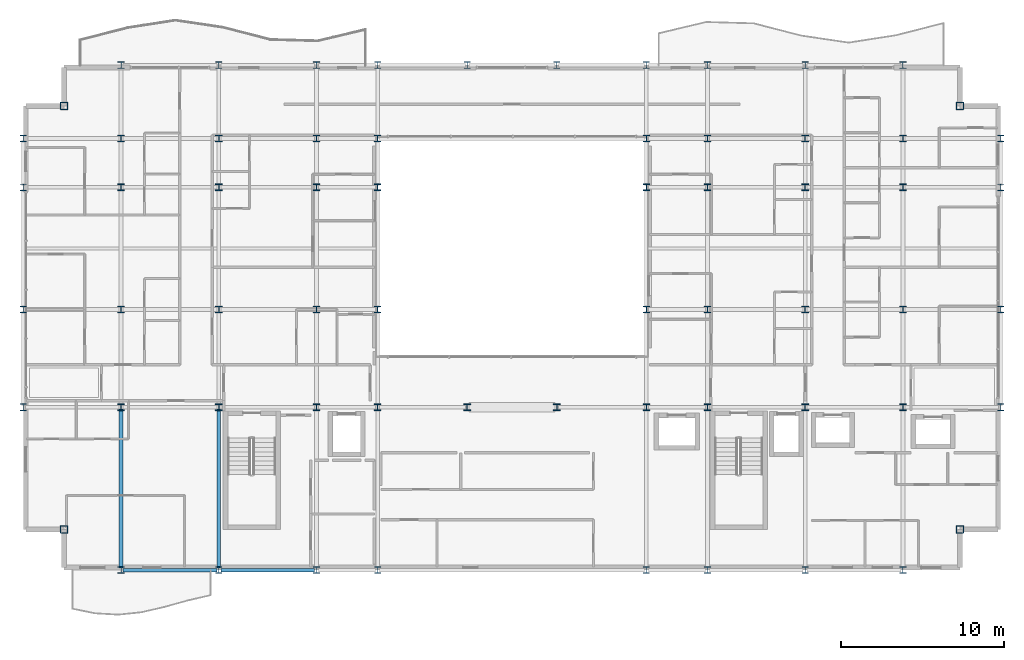
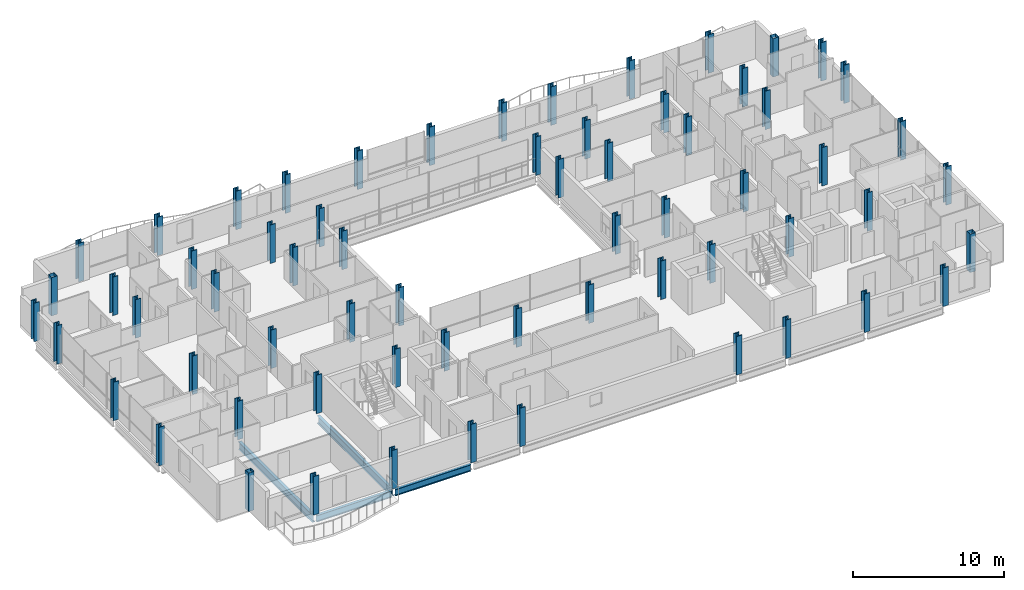
# One storey, part 1 of 40: 64 columns, 4 beams.
"""IFC4 building model written with IfcOpenShell, lengths in metres."""

from ifc_helpers import new_model, si_unit, direction, frame, origin, origin_2d, place, context, subcontext, project, spatial, hollow_rectangle, i_section, extrude, material, material_profile, profile_set, type_object, element, save


model = new_model("IFC4")

# Units and contexts
model_context = context("Model", 3, precision=1e-05, world=origin(), true_north=direction((0.0, 1.0)))
body_context = subcontext(model_context, "Body", "Model", "MODEL_VIEW")
ifc_project = project(units=[si_unit("LENGTHUNIT", "METRE"), si_unit("AREAUNIT", "SQUARE_METRE"), si_unit("VOLUMEUNIT", "CUBIC_METRE"), si_unit("PLANEANGLEUNIT", "RADIAN"), si_unit("MASSUNIT", "GRAM", prefix="KILO")], contexts=[model_context])

# Site, building, storey
site_placement = place(None, origin())
site = spatial("IfcSite", under=ifc_project, at=site_placement, CompositionType="ELEMENT")
building_placement = place(site_placement, origin())
building = spatial("IfcBuilding", under=site, at=building_placement, Name="Brevholm Reach", CompositionType="ELEMENT")
storey_placement = place(building_placement, frame((0.0, 0.0, 119.0)))
storey = spatial("IfcBuildingStorey", under=building, at=storey_placement, Name="L35", CompositionType="ELEMENT", Elevation=119.0)

# Columns
ifc_material_1 = material(Name="Structural Steel S460NH", Category="steel")
ifc_material_profile_1 = material_profile(ifc_material_1, hollow_rectangle(XDim=0.449951171875, YDim=0.449951171875, WallThickness=0.02490234375, InnerFilletRadius=0.011962890625, OuterFilletRadius=0.02392578125, at=origin_2d()), Name="SHS 450x450x25")
ifc_profile_set_1 = profile_set([ifc_material_profile_1], Name="Structural Steel S460NH")
column_type_1 = type_object("IfcColumnType", Name="COL-SHS1", PredefinedType="COLUMN", material=ifc_profile_set_1)
for number, where, z_axis, x_axis, name in (
    (1, (2.5, 2.5, 0.0), (0.0, 0.0, 1.0), (1.0, 0.0, 0.0), "L35 Column 05"),
    (2, (2.5, 28.5, 0.0), (0.0, 0.0, 1.0), (1.0, 0.0, 0.0), "L35 Column 06"),
    (3, (57.5, 2.5, 0.0), (0.0, 0.0, 1.0), (1.0, 0.0, 0.0), "L35 Column 59"),
    (4, (57.5, 28.5, 0.0), (0.0, 0.0, 1.0), (1.0, 0.0, 0.0), "L35 Column 60"),
):
    element("IfcColumn", number, at=place(storey_placement, frame(where, z_axis=z_axis, x_axis=x_axis)), inside=storey, type_object=column_type_1, Name=name, PredefinedType="COLUMN", context=body_context, shape_type="SweptSolid", body=[
        extrude(hollow_rectangle(XDim=0.449951171875, YDim=0.449951171875, WallThickness=0.02490234375, InnerFilletRadius=0.011962890625, OuterFilletRadius=0.02392578125, at=origin_2d()), origin(), (0.0, 0.0, 1.0), 3.10009765625),
    ])
ifc_material_2 = material(Name="Structural Steel S460ML", Category="steel")
ifc_material_profile_2 = material_profile(ifc_material_2, i_section(OverallWidth=0.412109375, OverallDepth=0.4365234375, WebThickness=0.035888671875, FlangeThickness=0.05810546875, FilletRadius=0.01513671875, at=origin_2d()), Name="UKC 356x406x467")
ifc_profile_set_2 = profile_set([ifc_material_profile_2], Name="Structural Steel S460ML")
column_type_2 = type_object("IfcColumnType", Name="COL-UC3", PredefinedType="COLUMN", material=ifc_profile_set_2)
for number, where, z_axis, x_axis, name in (
    (5, (0.0, 10.0, 0.0), (0.0, 0.0, 1.0), (1.0, 0.0, 0.0), "L35 Column 01"),
    (6, (0.0, 16.0, 0.0), (0.0, 0.0, 1.0), (1.0, 0.0, 0.0), "L35 Column 02"),
    (7, (0.0, 23.5, 0.0), (0.0, 0.0, 1.0), (1.0, 0.0, 0.0), "L35 Column 03"),
    (8, (0.0, 26.5, 0.0), (0.0, 0.0, 1.0), (1.0, 0.0, 0.0), "L35 Column 04"),
    (9, (6.0, 0.0, 0.0), (0.0, 0.0, 1.0), (1.0, 0.0, 0.0), "L35 Column 07"),
    (10, (6.0, 31.0, 0.0), (0.0, 0.0, 1.0), (1.0, 0.0, 0.0), "L35 Column 12"),
    (11, (12.0, 0.0, 0.0), (0.0, 0.0, 1.0), (1.0, 0.0, 0.0), "L35 Column 13"),
    (12, (12.0, 31.0, 0.0), (0.0, 0.0, 1.0), (1.0, 0.0, 0.0), "L35 Column 18"),
    (13, (18.0, 0.0, 0.0), (0.0, 0.0, 1.0), (1.0, 0.0, 0.0), "L35 Column 19"),
    (14, (18.0, 31.0, 0.0), (0.0, 0.0, 1.0), (1.0, 0.0, 0.0), "L35 Column 24"),
    (15, (21.75, 0.0, 0.0), (0.0, 0.0, 1.0), (1.0, 0.0, 0.0), "L35 Column 25"),
    (16, (21.75, 31.0, 0.0), (0.0, 0.0, 1.0), (1.0, 0.0, 0.0), "L35 Column 30"),
    (17, (27.25, 31.0, 0.0), (0.0, 0.0, 1.0), (1.0, 0.0, 0.0), "L35 Column 32"),
    (18, (32.75, 31.0, 0.0), (0.0, 0.0, 1.0), (1.0, 0.0, 0.0), "L35 Column 34"),
    (19, (38.25, 0.0, 0.0), (0.0, 0.0, 1.0), (1.0, 0.0, 0.0), "L35 Column 35"),
    (20, (38.25, 31.0, 0.0), (0.0, 0.0, 1.0), (1.0, 0.0, 0.0), "L35 Column 40"),
    (21, (42.0, 0.0, 0.0), (0.0, 0.0, 1.0), (1.0, 0.0, 0.0), "L35 Column 41"),
    (22, (42.0, 31.0, 0.0), (0.0, 0.0, 1.0), (1.0, 0.0, 0.0), "L35 Column 46"),
    (23, (48.0, 0.0, 0.0), (0.0, 0.0, 1.0), (1.0, 0.0, 0.0), "L35 Column 47"),
    (24, (48.0, 31.0, 0.0), (0.0, 0.0, 1.0), (1.0, 0.0, 0.0), "L35 Column 52"),
    (25, (54.0, 0.0, 0.0), (0.0, 0.0, 1.0), (1.0, 0.0, 0.0), "L35 Column 53"),
    (26, (54.0, 31.0, 0.0), (0.0, 0.0, 1.0), (1.0, 0.0, 0.0), "L35 Column 58"),
    (27, (60.0, 10.0, 0.0), (0.0, 0.0, 1.0), (1.0, 0.0, 0.0), "L35 Column 61"),
    (28, (60.0, 16.0, 0.0), (0.0, 0.0, 1.0), (1.0, 0.0, 0.0), "L35 Column 62"),
    (29, (60.0, 23.5, 0.0), (0.0, 0.0, 1.0), (1.0, 0.0, 0.0), "L35 Column 63"),
    (30, (60.0, 26.5, 0.0), (0.0, 0.0, 1.0), (1.0, 0.0, 0.0), "L35 Column 64"),
):
    element("IfcColumn", number, at=place(storey_placement, frame(where, z_axis=z_axis, x_axis=x_axis)), inside=storey, type_object=column_type_2, Name=name, PredefinedType="COLUMN", context=body_context, shape_type="SweptSolid", body=[
        extrude(i_section(OverallWidth=0.412109375, OverallDepth=0.4365234375, WebThickness=0.035888671875, FlangeThickness=0.05810546875, FilletRadius=0.01513671875, at=origin_2d()), origin(), (0.0, 0.0, 1.0), 3.10009765625),
    ])
ifc_material_3 = material(Name="Structural Steel S355J2", Category="steel")
ifc_material_profile_3 = material_profile(ifc_material_3, i_section(OverallWidth=0.406982421875, OverallDepth=0.4189453125, WebThickness=0.030517578125, FlangeThickness=0.04931640625, FilletRadius=0.01513671875, at=origin_2d()), Name="UKC 356x406x393")
ifc_profile_set_3 = profile_set([ifc_material_profile_3], Name="Structural Steel S355J2")
column_type_3 = type_object("IfcColumnType", Name="COL-UC4", PredefinedType="COLUMN", material=ifc_profile_set_3)
for number, where, z_axis, x_axis, name in (
    (31, (6.0, 10.0, 0.0), (0.0, 0.0, 1.0), (1.0, 0.0, 0.0), "L35 Column 08"),
    (32, (6.0, 16.0, 0.0), (0.0, 0.0, 1.0), (1.0, 0.0, 0.0), "L35 Column 09"),
    (33, (6.0, 23.5, 0.0), (0.0, 0.0, 1.0), (1.0, 0.0, 0.0), "L35 Column 10"),
    (34, (6.0, 26.5, 0.0), (0.0, 0.0, 1.0), (1.0, 0.0, 0.0), "L35 Column 11"),
    (35, (12.0, 10.0, 0.0), (0.0, 0.0, 1.0), (1.0, 0.0, 0.0), "L35 Column 14"),
    (36, (12.0, 16.0, 0.0), (0.0, 0.0, 1.0), (1.0, 0.0, 0.0), "L35 Column 15"),
    (37, (12.0, 23.5, 0.0), (0.0, 0.0, 1.0), (1.0, 0.0, 0.0), "L35 Column 16"),
    (38, (12.0, 26.5, 0.0), (0.0, 0.0, 1.0), (1.0, 0.0, 0.0), "L35 Column 17"),
    (39, (18.0, 10.0, 0.0), (0.0, 0.0, 1.0), (1.0, 0.0, 0.0), "L35 Column 20"),
    (40, (18.0, 16.0, 0.0), (0.0, 0.0, 1.0), (1.0, 0.0, 0.0), "L35 Column 21"),
    (41, (18.0, 23.5, 0.0), (0.0, 0.0, 1.0), (1.0, 0.0, 0.0), "L35 Column 22"),
    (42, (18.0, 26.5, 0.0), (0.0, 0.0, 1.0), (1.0, 0.0, 0.0), "L35 Column 23"),
    (43, (21.75, 10.0, 0.0), (0.0, 0.0, 1.0), (1.0, 0.0, 0.0), "L35 Column 26"),
    (44, (21.75, 16.0, 0.0), (0.0, 0.0, 1.0), (1.0, 0.0, 0.0), "L35 Column 27"),
    (45, (21.75, 23.5, 0.0), (0.0, 0.0, 1.0), (1.0, 0.0, 0.0), "L35 Column 28"),
    (46, (21.75, 26.5, 0.0), (0.0, 0.0, 1.0), (1.0, 0.0, 0.0), "L35 Column 29"),
    (47, (27.25, 10.0, 0.0), (0.0, 0.0, 1.0), (1.0, 0.0, 0.0), "L35 Column 31"),
    (48, (32.75, 10.0, 0.0), (0.0, 0.0, 1.0), (1.0, 0.0, 0.0), "L35 Column 33"),
    (49, (38.25, 10.0, 0.0), (0.0, 0.0, 1.0), (1.0, 0.0, 0.0), "L35 Column 36"),
    (50, (38.25, 16.0, 0.0), (0.0, 0.0, 1.0), (1.0, 0.0, 0.0), "L35 Column 37"),
    (51, (38.25, 23.5, 0.0), (0.0, 0.0, 1.0), (1.0, 0.0, 0.0), "L35 Column 38"),
    (52, (38.25, 26.5, 0.0), (0.0, 0.0, 1.0), (1.0, 0.0, 0.0), "L35 Column 39"),
    (53, (42.0, 10.0, 0.0), (0.0, 0.0, 1.0), (1.0, 0.0, 0.0), "L35 Column 42"),
    (54, (42.0, 16.0, 0.0), (0.0, 0.0, 1.0), (1.0, 0.0, 0.0), "L35 Column 43"),
    (55, (42.0, 23.5, 0.0), (0.0, 0.0, 1.0), (1.0, 0.0, 0.0), "L35 Column 44"),
    (56, (42.0, 26.5, 0.0), (0.0, 0.0, 1.0), (1.0, 0.0, 0.0), "L35 Column 45"),
    (57, (48.0, 10.0, 0.0), (0.0, 0.0, 1.0), (1.0, 0.0, 0.0), "L35 Column 48"),
    (58, (48.0, 16.0, 0.0), (0.0, 0.0, 1.0), (1.0, 0.0, 0.0), "L35 Column 49"),
    (59, (48.0, 23.5, 0.0), (0.0, 0.0, 1.0), (1.0, 0.0, 0.0), "L35 Column 50"),
    (60, (48.0, 26.5, 0.0), (0.0, 0.0, 1.0), (1.0, 0.0, 0.0), "L35 Column 51"),
    (61, (54.0, 10.0, 0.0), (0.0, 0.0, 1.0), (1.0, 0.0, 0.0), "L35 Column 54"),
    (62, (54.0, 16.0, 0.0), (0.0, 0.0, 1.0), (1.0, 0.0, 0.0), "L35 Column 55"),
    (63, (54.0, 23.5, 0.0), (0.0, 0.0, 1.0), (1.0, 0.0, 0.0), "L35 Column 56"),
    (64, (54.0, 26.5, 0.0), (0.0, 0.0, 1.0), (1.0, 0.0, 0.0), "L35 Column 57"),
):
    element("IfcColumn", number, at=place(storey_placement, frame(where, z_axis=z_axis, x_axis=x_axis)), inside=storey, type_object=column_type_3, Name=name, PredefinedType="COLUMN", context=body_context, shape_type="SweptSolid", body=[
        extrude(i_section(OverallWidth=0.406982421875, OverallDepth=0.4189453125, WebThickness=0.030517578125, FlangeThickness=0.04931640625, FilletRadius=0.01513671875, at=origin_2d()), origin(), (0.0, 0.0, 1.0), 3.10009765625),
    ])

# Beams
ifc_material_4 = material(Name="Structural Steel S355J2", Category="steel")
ifc_material_profile_4 = material_profile(ifc_material_4, i_section(OverallWidth=0.209228515625, OverallDepth=0.533203125, WebThickness=0.010009765625, FlangeThickness=0.015625, FilletRadius=0.0126953125, at=origin_2d()), Name="UKB 533x210x92")
ifc_profile_set_4 = profile_set([ifc_material_profile_4], Name="Structural Steel S355J2")
beam_type_1 = type_object("IfcBeamType", Name="BM-SP533", PredefinedType="SPANDREL", material=ifc_profile_set_4)
for number, where, z_axis, x_axis, name in (
    (65, (6.1201171875, 0.0, -0.486572265625), (1.0, 0.0, 0.0), (0.0, 1.0, 0.0), "L35 SP-02 Framing Beam"),
    (66, (12.1201171875, 0.0, -0.486572265625), (1.0, 0.0, 0.0), (0.0, 1.0, 0.0), "L35 SP-02 Framing Beam"),
):
    element("IfcBeam", number, at=place(storey_placement, frame(where, z_axis=z_axis, x_axis=x_axis)), inside=storey, type_object=beam_type_1, Name=name, PredefinedType="SPANDREL", context=body_context, shape_type="SweptSolid", body=[
        extrude(i_section(OverallWidth=0.209228515625, OverallDepth=0.533203125, WebThickness=0.010009765625, FlangeThickness=0.015625, FilletRadius=0.0126953125, at=origin_2d()), origin(), (0.0, 0.0, 1.0), 5.759765625),
    ])
ifc_material_5 = material(Name="Structural Steel S355J2", Category="steel")
ifc_material_profile_5 = material_profile(ifc_material_5, i_section(OverallWidth=0.22900390625, OverallDepth=0.6123046875, WebThickness=0.011962890625, FlangeThickness=0.01953125, FilletRadius=0.0126953125, at=origin_2d()), Name="UKB 610x229x125")
ifc_profile_set_5 = profile_set([ifc_material_profile_5], Name="Structural Steel S355J2")
beam_type_2 = type_object("IfcBeamType", Name="BM-SP610", PredefinedType="SPANDREL", material=ifc_profile_set_5)
for number, where, z_axis, x_axis, name in (
    (67, (6.0, 0.1201171875, -0.526123046875), (0.0, 1.0, 0.0), (-1.0, 0.0, 0.0), "L35 SP-01 Framing Beam"),
    (68, (12.0, 0.1201171875, -0.526123046875), (0.0, 1.0, 0.0), (-1.0, 0.0, 0.0), "L35 SP-01 Framing Beam"),
):
    element("IfcBeam", number, at=place(storey_placement, frame(where, z_axis=z_axis, x_axis=x_axis)), inside=storey, type_object=beam_type_2, Name=name, PredefinedType="SPANDREL", context=body_context, shape_type="SweptSolid", body=[
        extrude(i_section(OverallWidth=0.22900390625, OverallDepth=0.6123046875, WebThickness=0.011962890625, FlangeThickness=0.01953125, FilletRadius=0.0126953125, at=origin_2d()), origin(), (0.0, 0.0, 1.0), 9.759765625),
    ])

save(model, "model.ifc")
